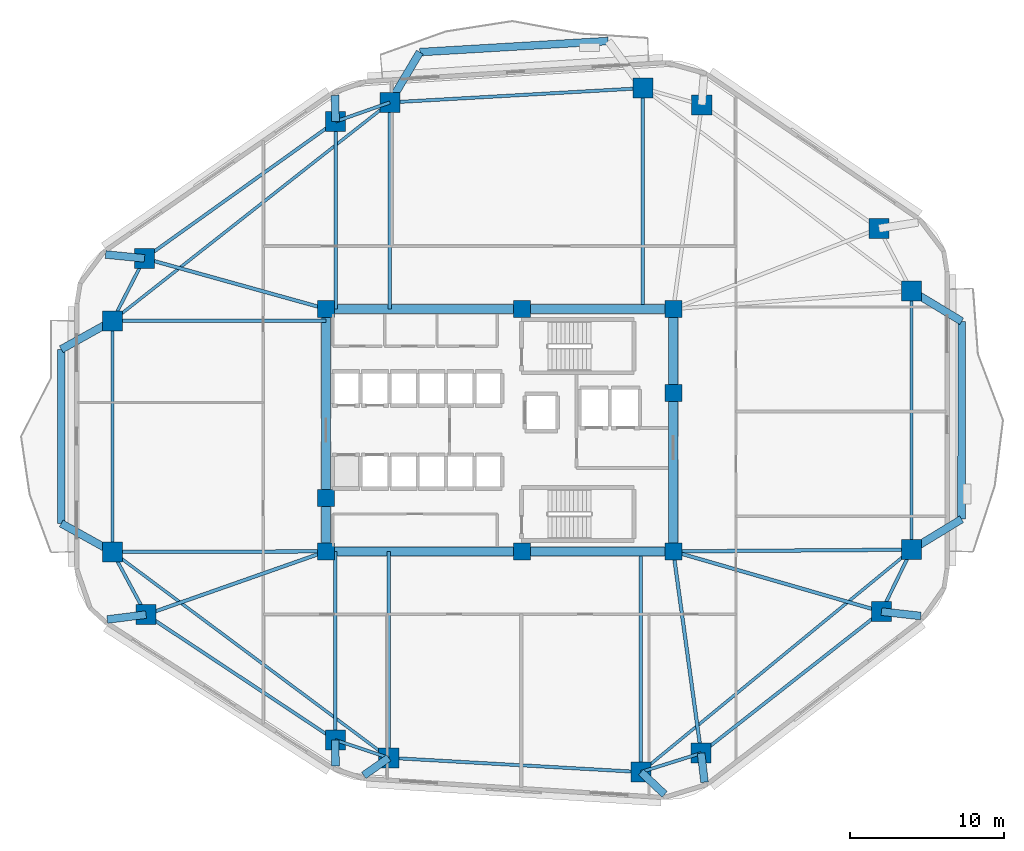
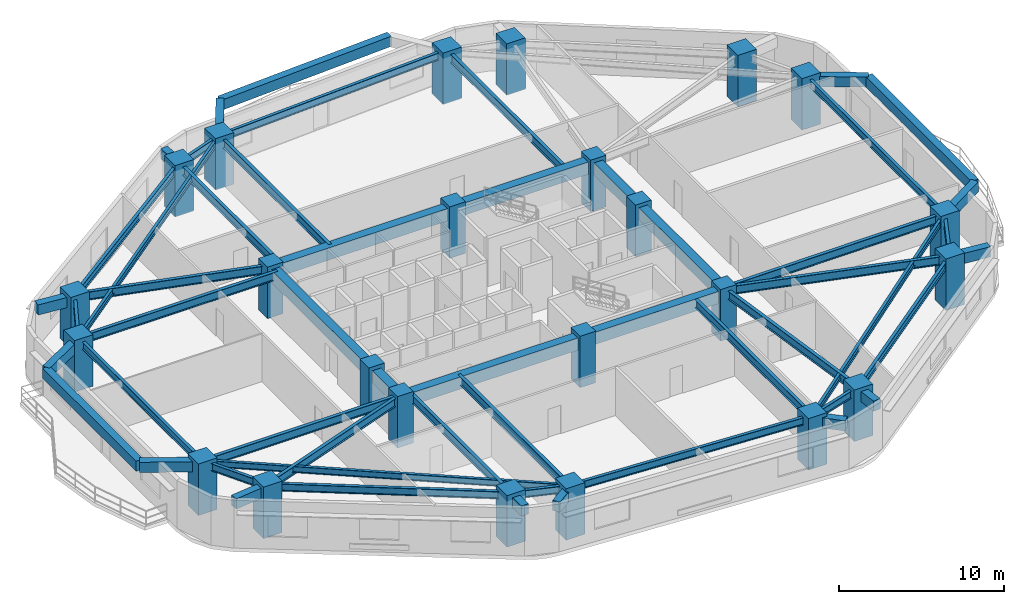
# One storey, part 1 of 10: 53 beams, 24 columns.
"""IFC4 building model written with IfcOpenShell, lengths in metres."""

from ifc_helpers import new_model, si_unit, direction, frame, origin, origin_2d, place, context, subcontext, project, spatial, rectangle, i_section, extrude, material, material_profile, profile_set, type_object, element, save


model = new_model("IFC4")

# Units and contexts
model_context = context("Model", 3, precision=1e-05, world=origin(), true_north=direction((0.0, 1.0)))
body_context = subcontext(model_context, "Body", "Model", "MODEL_VIEW")
ifc_project = project(units=[si_unit("LENGTHUNIT", "METRE"), si_unit("AREAUNIT", "SQUARE_METRE"), si_unit("VOLUMEUNIT", "CUBIC_METRE"), si_unit("PLANEANGLEUNIT", "RADIAN"), si_unit("MASSUNIT", "GRAM", prefix="KILO")], contexts=[model_context])

# Site, building, storey
site_placement = place(None, origin())
site = spatial("IfcSite", under=ifc_project, at=site_placement, CompositionType="ELEMENT")
building_placement = place(site_placement, origin())
building = spatial("IfcBuilding", under=site, at=building_placement, Name="Zulverin Broadcast Headquarters", CompositionType="ELEMENT")
storey_placement = place(building_placement, frame((0.0, 0.0, 66.800048828125)))
storey = spatial("IfcBuildingStorey", under=building, at=storey_placement, Name="L16", CompositionType="ELEMENT", Elevation=66.800048828125)

# Columns
ifc_material_1 = material(Name="Concrete C60/75", Category="concrete")
ifc_material_profile_1 = material_profile(ifc_material_1, rectangle(XDim=1.300048828125, YDim=1.300048828125, at=origin_2d()), Name="Concrete C60/75", Category="concrete")
ifc_profile_set_1 = profile_set([ifc_material_profile_1], Name="Concrete C60/75")
column_type_1 = type_object("IfcColumnType", Name="COL-RC-1300", PredefinedType="COLUMN", material=ifc_profile_set_1)
for number, where, z_axis, x_axis, name in (
    (1, (29.79638671875, 3.922119140625, 0.0), (0.0, 0.0, 1.0), (1.0, 0.0, 0.0), "L16 Perimeter Column T01"),
    (2, (46.175048828125, 2.997802734375, 0.0), (0.0, 0.0, 1.0), (1.0, 0.0, 0.0), "L16 Perimeter Column T02"),
    (3, (50.08056640625, 4.22509765625, 0.0), (0.0, 0.0, 1.0), (1.0, 0.0, 0.0), "L16 Perimeter Column T03"),
    (4, (61.79296875, 13.416259765625, 0.0), (0.0, 0.0, 1.0), (1.0, 0.0, 0.0), "L16 Perimeter Column T04"),
    (5, (63.75, 17.439697265625, 0.0), (0.0, 0.0, 1.0), (1.0, 0.0, 0.0), "L16 Perimeter Column T05"),
    (6, (63.75, 34.235107421875, 0.0), (0.0, 0.0, 1.0), (1.0, 0.0, 0.0), "L16 Perimeter Column T06"),
    (7, (61.630126953125, 38.298583984375, 0.0), (0.0, 0.0, 1.0), (1.0, 0.0, 0.0), "L16 Perimeter Column T07"),
    (8, (50.121826171875, 46.325927734375, 0.0), (0.0, 0.0, 1.0), (1.0, 0.0, 0.0), "L16 Perimeter Column T08"),
    (9, (46.30224609375, 47.4091796875, 0.0), (0.0, 0.0, 1.0), (1.0, 0.0, 0.0), "L16 Perimeter Column T09"),
    (10, (29.873779296875, 46.482177734375, 0.0), (0.0, 0.0, 1.0), (1.0, 0.0, 0.0), "L16 Perimeter Column T10"),
    (11, (26.344482421875, 45.23828125, 0.0), (0.0, 0.0, 1.0), (1.0, 0.0, 0.0), "L16 Perimeter Column T11"),
    (12, (13.934326171875, 36.353759765625, 0.0), (0.0, 0.0, 1.0), (1.0, 0.0, 0.0), "L16 Perimeter Column T12"),
    (13, (11.85009765625, 32.298095703125, 0.0), (0.0, 0.0, 1.0), (1.0, 0.0, 0.0), "L16 Perimeter Column T13"),
    (14, (11.85009765625, 17.297607421875, 0.0), (0.0, 0.0, 1.0), (1.0, 0.0, 0.0), "L16 Perimeter Column T14"),
    (15, (14.0390625, 13.219970703125, 0.0), (0.0, 0.0, 1.0), (1.0, 0.0, 0.0), "L16 Perimeter Column T15"),
    (16, (26.3251953125, 5.075927734375, 0.0), (0.0, 0.0, 1.0), (1.0, 0.0, 0.0), "L16 Perimeter Column T16"),
):
    element("IfcColumn", number, at=place(storey_placement, frame(where, z_axis=z_axis, x_axis=x_axis)), inside=storey, type_object=column_type_1, Name=name, PredefinedType="COLUMN", context=body_context, shape_type="SweptSolid", body=[
        extrude(rectangle(XDim=1.300048828125, YDim=1.300048828125, at=origin_2d()), origin(), (0.0, 0.0, 1.0), 3.800048828125),
    ])
ifc_material_profile_2 = material_profile(ifc_material_1, rectangle(XDim=1.10009765625, YDim=1.10009765625, at=origin_2d()), Name="Concrete C60/75", Category="concrete")
ifc_profile_set_2 = profile_set([ifc_material_profile_2], Name="Concrete C60/75")
column_type_2 = type_object("IfcColumnType", Name="PIL-RC-1100", PredefinedType="PILASTER", material=ifc_profile_set_2)
for number, where, z_axis, x_axis, name in (
    (17, (25.72509765625, 17.324951171875, 0.0), (0.0, 0.0, 1.0), (1.0, 0.0, 0.0), "L16 Core Pilaster K01"),
    (18, (38.449951171875, 17.324951171875, 0.0), (0.0, 0.0, 1.0), (1.0, 0.0, 0.0), "L16 Core Pilaster K02"),
    (19, (48.27490234375, 17.324951171875, 0.0), (0.0, 0.0, 1.0), (1.0, 0.0, 0.0), "L16 Core Pilaster K03"),
    (20, (48.27490234375, 27.6201171875, 0.0), (0.0, 0.0, 1.0), (1.0, 0.0, 0.0), "L16 Core Pilaster K04"),
    (21, (48.27490234375, 33.074951171875, 0.0), (0.0, 0.0, 1.0), (1.0, 0.0, 0.0), "L16 Core Pilaster K05"),
    (22, (38.449951171875, 33.074951171875, 0.0), (0.0, 0.0, 1.0), (1.0, 0.0, 0.0), "L16 Core Pilaster K06"),
    (23, (25.72509765625, 33.074951171875, 0.0), (0.0, 0.0, 1.0), (1.0, 0.0, 0.0), "L16 Core Pilaster K07"),
    (24, (25.72509765625, 20.800048828125, 0.0), (0.0, 0.0, 1.0), (1.0, 0.0, 0.0), "L16 Core Pilaster K08"),
):
    element("IfcColumn", number, at=place(storey_placement, frame(where, z_axis=z_axis, x_axis=x_axis)), inside=storey, type_object=column_type_2, Name=name, PredefinedType="PILASTER", context=body_context, shape_type="SweptSolid", body=[
        extrude(rectangle(XDim=1.10009765625, YDim=1.10009765625, at=origin_2d()), origin(), (0.0, 0.0, 1.0), 3.800048828125),
    ])

# Beams
ifc_material_profile_3 = material_profile(ifc_material_1, rectangle(XDim=0.60009765625, YDim=0.89990234375, at=origin_2d()), Name="Concrete C60/75", Category="concrete")
ifc_profile_set_3 = profile_set([ifc_material_profile_3], Name="Concrete C60/75")
beam_type_1 = type_object("IfcBeamType", Name="BM-CB-600x900", PredefinedType="LINTEL", material=ifc_profile_set_3)
beam_1_placement = place(storey_placement, frame((25.72509765625, 17.324951171875, 3.074951171875), z_axis=(1.0, 0.0, 0.0), x_axis=(0.0, 1.0, 0.0)))
element("IfcBeam", 25, at=beam_1_placement, inside=storey, type_object=beam_type_1, Name="L16 Core Coupling Girder K01-K02", PredefinedType="LINTEL", context=body_context, shape_type="SweptSolid", body=[
    extrude(rectangle(XDim=0.60009765625, YDim=0.89990234375, at=origin_2d()), origin(), (0.0, 0.0, 1.0), 12.724853515625),
])
beam_2_placement = place(storey_placement, frame((38.449951171875, 17.324951171875, 3.074951171875), z_axis=(1.0, 0.0, 0.0), x_axis=(0.0, 1.0, 0.0)))
element("IfcBeam", 26, at=beam_2_placement, inside=storey, type_object=beam_type_1, Name="L16 Core Coupling Girder K02-K03", PredefinedType="LINTEL", context=body_context, shape_type="SweptSolid", body=[
    extrude(rectangle(XDim=0.60009765625, YDim=0.89990234375, at=origin_2d()), origin(), (0.0, 0.0, 1.0), 9.824951171875),
])
beam_3_placement = place(storey_placement, frame((48.27490234375, 17.324951171875, 3.074951171875), z_axis=(0.0, 1.0, 0.0), x_axis=(-1.0, 0.0, 0.0)))
element("IfcBeam", 27, at=beam_3_placement, inside=storey, type_object=beam_type_1, Name="L16 Core Coupling Girder K03-K04", PredefinedType="LINTEL", context=body_context, shape_type="SweptSolid", body=[
    extrude(rectangle(XDim=0.60009765625, YDim=0.89990234375, at=origin_2d()), origin(), (0.0, 0.0, 1.0), 10.295166015625),
])
beam_4_placement = place(storey_placement, frame((48.27490234375, 27.6201171875, 3.074951171875), z_axis=(0.0, 1.0, 0.0), x_axis=(-1.0, 0.0, 0.0)))
element("IfcBeam", 28, at=beam_4_placement, inside=storey, type_object=beam_type_1, Name="L16 Core Coupling Girder K04-K05", PredefinedType="LINTEL", context=body_context, shape_type="SweptSolid", body=[
    extrude(rectangle(XDim=0.60009765625, YDim=0.89990234375, at=origin_2d()), origin(), (0.0, 0.0, 1.0), 5.454833984375),
])
beam_5_placement = place(storey_placement, frame((48.27490234375, 33.074951171875, 3.074951171875), z_axis=(-1.0, 0.0, 0.0), x_axis=(0.0, -1.0, 0.0)))
element("IfcBeam", 29, at=beam_5_placement, inside=storey, type_object=beam_type_1, Name="L16 Core Coupling Girder K05-K06", PredefinedType="LINTEL", context=body_context, shape_type="SweptSolid", body=[
    extrude(rectangle(XDim=0.60009765625, YDim=0.89990234375, at=origin_2d()), origin(), (0.0, 0.0, 1.0), 9.824951171875),
])
beam_6_placement = place(storey_placement, frame((38.449951171875, 33.074951171875, 3.074951171875), z_axis=(-1.0, 0.0, 0.0), x_axis=(0.0, -1.0, 0.0)))
element("IfcBeam", 30, at=beam_6_placement, inside=storey, type_object=beam_type_1, Name="L16 Core Coupling Girder K06-K07", PredefinedType="LINTEL", context=body_context, shape_type="SweptSolid", body=[
    extrude(rectangle(XDim=0.60009765625, YDim=0.89990234375, at=origin_2d()), origin(), (0.0, 0.0, 1.0), 12.724853515625),
])
beam_7_placement = place(storey_placement, frame((25.72509765625, 33.074951171875, 3.074951171875), z_axis=(0.0, -1.0, 0.0), x_axis=(1.0, 0.0, 0.0)))
element("IfcBeam", 31, at=beam_7_placement, inside=storey, type_object=beam_type_1, Name="L16 Core Coupling Girder K07-K08", PredefinedType="LINTEL", context=body_context, shape_type="SweptSolid", body=[
    extrude(rectangle(XDim=0.60009765625, YDim=0.89990234375, at=origin_2d()), origin(), (0.0, 0.0, 1.0), 12.27490234375),
])
beam_8_placement = place(storey_placement, frame((25.72509765625, 20.800048828125, 3.074951171875), z_axis=(0.0, -1.0, 0.0), x_axis=(1.0, 0.0, 0.0)))
element("IfcBeam", 32, at=beam_8_placement, inside=storey, type_object=beam_type_1, Name="L16 Core Coupling Girder K08-K01", PredefinedType="LINTEL", context=body_context, shape_type="SweptSolid", body=[
    extrude(rectangle(XDim=0.60009765625, YDim=0.89990234375, at=origin_2d()), origin(), (0.0, 0.0, 1.0), 3.47509765625),
])
ifc_material_2 = material(Name="Concrete C40/50", Category="concrete")
ifc_material_profile_4 = material_profile(ifc_material_2, rectangle(XDim=0.5, YDim=0.75, at=origin_2d()), Name="Concrete C40/50", Category="concrete")
ifc_profile_set_4 = profile_set([ifc_material_profile_4], Name="Concrete C40/50")
beam_type_2 = type_object("IfcBeamType", Name="BM-RC-500x750", PredefinedType="BEAM", material=ifc_profile_set_4)
beam_9_placement = place(storey_placement, frame((29.79638671875, 3.922119140625, 3.14990234375), z_axis=(-0.817789251944, -0.575517801119, 0.0), x_axis=(0.575517801119, -0.817789251944, 0.0)))
element("IfcBeam", 33, at=beam_9_placement, inside=storey, type_object=beam_type_2, Name="L17 Plate Overhang Back-Spanned Beam OVR-01", PredefinedType="BEAM", context=body_context, shape_type="SweptSolid", body=[
    extrude(rectangle(XDim=0.5, YDim=0.75, at=origin_2d()), origin(), (0.0, 0.0, 1.0), 1.983154296875),
])
beam_10_placement = place(storey_placement, frame((46.175048828125, 2.997802734375, 3.14990234375), z_axis=(0.727711332613, -0.685883529754, 0.0), x_axis=(0.685883529754, 0.727711332613, 0.0)))
element("IfcBeam", 34, at=beam_10_placement, inside=storey, type_object=beam_type_2, Name="L17 Plate Overhang Back-Spanned Beam OVR-02", PredefinedType="BEAM", context=body_context, shape_type="SweptSolid", body=[
    extrude(rectangle(XDim=0.5, YDim=0.75, at=origin_2d()), origin(), (0.0, 0.0, 1.0), 2.113037109375),
])
beam_11_placement = place(storey_placement, frame((50.08056640625, 4.22509765625, 3.14990234375), z_axis=(0.115916621896, -0.99325894749, 0.0), x_axis=(0.99325894749, 0.115916621896, 0.0)))
element("IfcBeam", 35, at=beam_11_placement, inside=storey, type_object=beam_type_2, Name="L17 Plate Overhang Back-Spanned Beam OVR-03", PredefinedType="BEAM", context=body_context, shape_type="SweptSolid", body=[
    extrude(rectangle(XDim=0.5, YDim=0.75, at=origin_2d()), origin(), (0.0, 0.0, 1.0), 1.899658203125),
])
beam_12_placement = place(storey_placement, frame((61.79296875, 13.416259765625, 3.14990234375), z_axis=(0.993797661948, -0.111203449166, 0.0), x_axis=(0.111203449166, 0.993797661948, 0.0)))
element("IfcBeam", 36, at=beam_12_placement, inside=storey, type_object=beam_type_2, Name="L17 Plate Overhang Back-Spanned Beam OVR-04", PredefinedType="BEAM", context=body_context, shape_type="SweptSolid", body=[
    extrude(rectangle(XDim=0.5, YDim=0.75, at=origin_2d()), origin(), (0.0, 0.0, 1.0), 2.568603515625),
])
beam_13_placement = place(storey_placement, frame((26.344482421875, 45.23828125, 3.14990234375), z_axis=(-0.025024345209, 0.999686842039, 0.0), x_axis=(-0.999686842039, -0.025024345209, 0.0)))
element("IfcBeam", 37, at=beam_13_placement, inside=storey, type_object=beam_type_2, Name="L17 Plate Overhang Back-Spanned Beam OVR-11", PredefinedType="BEAM", context=body_context, shape_type="SweptSolid", body=[
    extrude(rectangle(XDim=0.5, YDim=0.75, at=origin_2d()), origin(), (0.0, 0.0, 1.0), 1.707275390625),
])
beam_14_placement = place(storey_placement, frame((13.934326171875, 36.353759765625, 3.14990234375), z_axis=(-0.995008621602, 0.09978899207, 0.0), x_axis=(-0.09978899207, -0.995008621602, 0.0)))
element("IfcBeam", 38, at=beam_14_placement, inside=storey, type_object=beam_type_2, Name="L17 Plate Overhang Back-Spanned Beam OVR-12", PredefinedType="BEAM", context=body_context, shape_type="SweptSolid", body=[
    extrude(rectangle(XDim=0.5, YDim=0.75, at=origin_2d()), origin(), (0.0, 0.0, 1.0), 2.5419921875),
])
beam_15_placement = place(storey_placement, frame((14.0390625, 13.219970703125, 3.14990234375), z_axis=(-0.992258640565, -0.124188526941, 0.0), x_axis=(0.124188526941, -0.992258640565, 0.0)))
element("IfcBeam", 39, at=beam_15_placement, inside=storey, type_object=beam_type_2, Name="L17 Plate Overhang Back-Spanned Beam OVR-15", PredefinedType="BEAM", context=body_context, shape_type="SweptSolid", body=[
    extrude(rectangle(XDim=0.5, YDim=0.75, at=origin_2d()), origin(), (0.0, 0.0, 1.0), 2.5400390625),
])
beam_16_placement = place(storey_placement, frame((26.3251953125, 5.075927734375, 3.14990234375), z_axis=(0.006204786761, -0.999980750125, 0.0), x_axis=(0.999980750125, 0.006204786761, 0.0)))
element("IfcBeam", 40, at=beam_16_placement, inside=storey, type_object=beam_type_2, Name="L17 Plate Overhang Back-Spanned Beam OVR-16", PredefinedType="BEAM", context=body_context, shape_type="SweptSolid", body=[
    extrude(rectangle(XDim=0.5, YDim=0.75, at=origin_2d()), origin(), (0.0, 0.0, 1.0), 1.69189453125),
])
for number, where, z_axis, x_axis, name in (
    (41, (63.75, 17.439697265625, 3.14990234375), (0.853769010652, 0.520651972483, 0.0), (-0.520651972483, 0.853769010652, 0.0), "L17 Balcony Column-Framed Cantilever BAL_E-1"),
    (42, (63.75, 34.235107421875, 3.14990234375), (0.855593685746, -0.517647993246, 0.0), (0.517647993246, 0.855593685746, 0.0), "L17 Balcony Column-Framed Cantilever BAL_E-2"),
):
    element("IfcBeam", number, at=place(storey_placement, frame(where, z_axis=z_axis, x_axis=x_axis)), inside=storey, type_object=beam_type_2, Name=name, PredefinedType="BEAM", context=body_context, shape_type="SweptSolid", body=[
        extrude(rectangle(XDim=0.5, YDim=0.75, at=origin_2d()), origin(), (0.0, 0.0, 1.0), 3.800048828125),
    ])
beam_17_placement = place(storey_placement, frame((66.994384765625, 19.418212890625, 3.14990234375), z_axis=(0.000531985561, 0.999999858496, 0.0), x_axis=(-0.999999858496, 0.000531985561, 0.0)))
element("IfcBeam", 43, at=beam_17_placement, inside=storey, type_object=beam_type_2, Name="L17 Balcony Outer Edge Trimmer Beam BAL_E", PredefinedType="BEAM", context=body_context, shape_type="SweptSolid", body=[
    extrude(rectangle(XDim=0.5, YDim=0.75, at=origin_2d()), origin(), (0.0, 0.0, 1.0), 12.849853515625),
])
beam_18_placement = place(storey_placement, frame((29.873779296875, 46.482177734375, 3.14990234375), z_axis=(0.511024077234, 0.859566397952, 0.0), x_axis=(-0.859566397952, 0.511024077234, 0.0)))
element("IfcBeam", 44, at=beam_18_placement, inside=storey, type_object=beam_type_2, Name="L17 Balcony Column-Framed Cantilever BAL_N-2", PredefinedType="BEAM", context=body_context, shape_type="SweptSolid", body=[
    extrude(rectangle(XDim=0.5, YDim=0.75, at=origin_2d()), origin(), (0.0, 0.0, 1.0), 3.800048828125),
])
beam_19_placement = place(storey_placement, frame((44.049072265625, 50.46923828125, 3.14990234375), z_axis=(-0.998269148199, -0.058810779227, 0.0), x_axis=(0.058810779227, -0.998269148199, 0.0)))
element("IfcBeam", 45, at=beam_19_placement, inside=storey, type_object=beam_type_2, Name="L17 Balcony Outer Edge Trimmer Beam BAL_N", PredefinedType="BEAM", context=body_context, shape_type="SweptSolid", body=[
    extrude(rectangle(XDim=0.5, YDim=0.75, at=origin_2d()), origin(), (0.0, 0.0, 1.0), 12.254638671875),
])
beam_20_placement = place(storey_placement, frame((11.85009765625, 32.298095703125, 3.14990234375), z_axis=(-0.873763019306, -0.486351915893, 0.0), x_axis=(0.486351915893, -0.873763019306, 0.0)))
element("IfcBeam", 46, at=beam_20_placement, inside=storey, type_object=beam_type_2, Name="L17 Balcony Column-Framed Cantilever BAL_W-1", PredefinedType="BEAM", context=body_context, shape_type="SweptSolid", body=[
    extrude(rectangle(XDim=0.5, YDim=0.75, at=origin_2d()), origin(), (0.0, 0.0, 1.0), 3.800048828125),
])
beam_21_placement = place(storey_placement, frame((11.85009765625, 17.297607421875, 3.14990234375), z_axis=(-0.874363278793, 0.485271940975, 0.0), x_axis=(-0.485271940975, -0.874363278793, 0.0)))
element("IfcBeam", 47, at=beam_21_placement, inside=storey, type_object=beam_type_2, Name="L17 Balcony Column-Framed Cantilever BAL_W-2", PredefinedType="BEAM", context=body_context, shape_type="SweptSolid", body=[
    extrude(rectangle(XDim=0.5, YDim=0.75, at=origin_2d()), origin(), (0.0, 0.0, 1.0), 3.7998046875),
])
beam_22_placement = place(storey_placement, frame((8.52978515625, 30.449951171875, 3.14990234375), z_axis=(-0.000194304709, -0.999999981123, 0.0), x_axis=(0.999999981123, -0.000194304709, 0.0)))
element("IfcBeam", 48, at=beam_22_placement, inside=storey, type_object=beam_type_2, Name="L17 Balcony Outer Edge Trimmer Beam BAL_W", PredefinedType="BEAM", context=body_context, shape_type="SweptSolid", body=[
    extrude(rectangle(XDim=0.5, YDim=0.75, at=origin_2d()), origin(), (0.0, 0.0, 1.0), 11.308349609375),
])
ifc_material_3 = material(Name="Structural steel S355JR", Category="steel")
ifc_material_profile_5 = material_profile(ifc_material_3, i_section(OverallWidth=0.19287109375, OverallDepth=0.46728515625, WebThickness=0.011474609375, FlangeThickness=0.01953125, at=origin_2d()), Name="Structural steel S355JR", Category="steel")
ifc_profile_set_5 = profile_set([ifc_material_profile_5], Name="Structural steel S355JR")
beam_type_3 = type_object("IfcBeamType", Name="BM-UB-457", PredefinedType="JOIST", material=ifc_profile_set_5)
beam_23_placement = place(storey_placement, frame((46.175048828125, 2.997802734375, 3.291259765625), z_axis=(0.772611370623, 0.634879256224, 0.0), x_axis=(-0.634879256224, 0.772611370623, 0.0)))
element("IfcBeam", 49, at=beam_23_placement, inside=storey, type_object=beam_type_3, Name="L16 Chordal Floor Joist J-01", PredefinedType="JOIST", context=body_context, shape_type="SweptSolid", body=[
    extrude(i_section(OverallWidth=0.19287109375, OverallDepth=0.46728515625, WebThickness=0.011474609375, FlangeThickness=0.01953125, at=origin_2d()), origin(), (0.0, 0.0, 1.0), 22.74755859375),
])
beam_24_placement = place(storey_placement, frame((29.873779296875, 46.482177734375, 3.291259765625), z_axis=(-0.78583902739, -0.618431098047, 0.0), x_axis=(0.618431098047, -0.78583902739, 0.0)))
element("IfcBeam", 50, at=beam_24_placement, inside=storey, type_object=beam_type_3, Name="L16 Chordal Floor Joist J-03", PredefinedType="JOIST", context=body_context, shape_type="SweptSolid", body=[
    extrude(i_section(OverallWidth=0.19287109375, OverallDepth=0.46728515625, WebThickness=0.011474609375, FlangeThickness=0.01953125, at=origin_2d()), origin(), (0.0, 0.0, 1.0), 22.935546875),
])
beam_25_placement = place(storey_placement, frame((11.85009765625, 17.297607421875, 3.291259765625), z_axis=(0.801802688634, -0.59758886243, 0.0), x_axis=(0.59758886243, 0.801802688634, 0.0)))
element("IfcBeam", 51, at=beam_25_placement, inside=storey, type_object=beam_type_3, Name="L16 Chordal Floor Joist J-04", PredefinedType="JOIST", context=body_context, shape_type="SweptSolid", body=[
    extrude(i_section(OverallWidth=0.19287109375, OverallDepth=0.46728515625, WebThickness=0.011474609375, FlangeThickness=0.01953125, at=origin_2d()), origin(), (0.0, 0.0, 1.0), 22.38232421875),
])
ifc_material_profile_6 = material_profile(ifc_material_3, i_section(OverallWidth=0.2119140625, OverallDepth=0.54443359375, WebThickness=0.0126953125, FlangeThickness=0.021240234375, at=origin_2d()), Name="Structural steel S355JR", Category="steel")
ifc_profile_set_6 = profile_set([ifc_material_profile_6], Name="Structural steel S355JR")
beam_type_4 = type_object("IfcBeamType", Name="BM-UB-533", PredefinedType="SPANDREL", material=ifc_profile_set_6)
beam_26_placement = place(storey_placement, frame((29.79638671875, 3.922119140625, 3.252685546875), z_axis=(0.998411385104, -0.056344530297, 0.0), x_axis=(0.056344530297, 0.998411385104, 0.0)))
element("IfcBeam", 52, at=beam_26_placement, inside=storey, type_object=beam_type_4, Name="L16 Perimeter Spandrel Beam SP-01", PredefinedType="SPANDREL", context=body_context, shape_type="SweptSolid", body=[
    extrude(i_section(OverallWidth=0.2119140625, OverallDepth=0.54443359375, WebThickness=0.0126953125, FlangeThickness=0.021240234375, at=origin_2d()), origin(), (0.0, 0.0, 1.0), 16.40478515625),
])
beam_27_placement = place(storey_placement, frame((46.175048828125, 2.997802734375, 3.252685546875), z_axis=(0.954004438448, 0.299792480595, 0.0), x_axis=(-0.299792480595, 0.954004438448, 0.0)))
element("IfcBeam", 53, at=beam_27_placement, inside=storey, type_object=beam_type_4, Name="L16 Perimeter Spandrel Beam SP-02", PredefinedType="SPANDREL", context=body_context, shape_type="SweptSolid", body=[
    extrude(i_section(OverallWidth=0.2119140625, OverallDepth=0.54443359375, WebThickness=0.0126953125, FlangeThickness=0.021240234375, at=origin_2d()), origin(), (0.0, 0.0, 1.0), 4.09375),
])
beam_28_placement = place(storey_placement, frame((50.08056640625, 4.22509765625, 3.252685546875), z_axis=(0.786691476208, 0.617346354376, 0.0), x_axis=(-0.617346354376, 0.786691476208, 0.0)))
element("IfcBeam", 54, at=beam_28_placement, inside=storey, type_object=beam_type_4, Name="L16 Perimeter Spandrel Beam SP-03", PredefinedType="SPANDREL", context=body_context, shape_type="SweptSolid", body=[
    extrude(i_section(OverallWidth=0.2119140625, OverallDepth=0.54443359375, WebThickness=0.0126953125, FlangeThickness=0.021240234375, at=origin_2d()), origin(), (0.0, 0.0, 1.0), 14.88818359375),
])
beam_29_placement = place(storey_placement, frame((61.79296875, 13.416259765625, 3.252685546875), z_axis=(0.437408475872, 0.899262934428, 0.0), x_axis=(-0.899262934428, 0.437408475872, 0.0)))
element("IfcBeam", 55, at=beam_29_placement, inside=storey, type_object=beam_type_4, Name="L16 Perimeter Spandrel Beam SP-04", PredefinedType="SPANDREL", context=body_context, shape_type="SweptSolid", body=[
    extrude(i_section(OverallWidth=0.2119140625, OverallDepth=0.54443359375, WebThickness=0.0126953125, FlangeThickness=0.021240234375, at=origin_2d()), origin(), (0.0, 0.0, 1.0), 4.47412109375),
])
beam_30_placement = place(storey_placement, frame((63.75, 17.439697265625, 3.252685546875), z_axis=(0.0, 1.0, 0.0), x_axis=(-1.0, 0.0, 0.0)))
element("IfcBeam", 56, at=beam_30_placement, inside=storey, type_object=beam_type_4, Name="L16 Perimeter Spandrel Beam SP-05", PredefinedType="SPANDREL", context=body_context, shape_type="SweptSolid", body=[
    extrude(i_section(OverallWidth=0.2119140625, OverallDepth=0.54443359375, WebThickness=0.0126953125, FlangeThickness=0.021240234375, at=origin_2d()), origin(), (0.0, 0.0, 1.0), 16.79541015625),
])
beam_31_placement = place(storey_placement, frame((46.30224609375, 47.4091796875, 3.252685546875), z_axis=(-0.998411812904, -0.056336949274, 0.0), x_axis=(0.056336949274, -0.998411812904, 0.0)))
element("IfcBeam", 57, at=beam_31_placement, inside=storey, type_object=beam_type_4, Name="L16 Perimeter Spandrel Beam SP-09", PredefinedType="SPANDREL", context=body_context, shape_type="SweptSolid", body=[
    extrude(i_section(OverallWidth=0.2119140625, OverallDepth=0.54443359375, WebThickness=0.0126953125, FlangeThickness=0.021240234375, at=origin_2d()), origin(), (0.0, 0.0, 1.0), 16.45458984375),
])
beam_32_placement = place(storey_placement, frame((29.873779296875, 46.482177734375, 3.252685546875), z_axis=(-0.943135983398, -0.332407155189, 0.0), x_axis=(0.332407155189, -0.943135983398, 0.0)))
element("IfcBeam", 58, at=beam_32_placement, inside=storey, type_object=beam_type_4, Name="L16 Perimeter Spandrel Beam SP-10", PredefinedType="SPANDREL", context=body_context, shape_type="SweptSolid", body=[
    extrude(i_section(OverallWidth=0.2119140625, OverallDepth=0.54443359375, WebThickness=0.0126953125, FlangeThickness=0.021240234375, at=origin_2d()), origin(), (0.0, 0.0, 1.0), 3.7421875),
])
beam_33_placement = place(storey_placement, frame((26.344482421875, 45.23828125, 3.252685546875), z_axis=(-0.813109374453, -0.582110938891, 0.0), x_axis=(0.582110938891, -0.813109374453, 0.0)))
element("IfcBeam", 59, at=beam_33_placement, inside=storey, type_object=beam_type_4, Name="L16 Perimeter Spandrel Beam SP-11", PredefinedType="SPANDREL", context=body_context, shape_type="SweptSolid", body=[
    extrude(i_section(OverallWidth=0.2119140625, OverallDepth=0.54443359375, WebThickness=0.0126953125, FlangeThickness=0.021240234375, at=origin_2d()), origin(), (0.0, 0.0, 1.0), 15.2626953125),
])
beam_34_placement = place(storey_placement, frame((13.934326171875, 36.353759765625, 3.252685546875), z_axis=(-0.457080631948, -0.889425261558, 0.0), x_axis=(0.889425261558, -0.457080631948, 0.0)))
element("IfcBeam", 60, at=beam_34_placement, inside=storey, type_object=beam_type_4, Name="L16 Perimeter Spandrel Beam SP-12", PredefinedType="SPANDREL", context=body_context, shape_type="SweptSolid", body=[
    extrude(i_section(OverallWidth=0.2119140625, OverallDepth=0.54443359375, WebThickness=0.0126953125, FlangeThickness=0.021240234375, at=origin_2d()), origin(), (0.0, 0.0, 1.0), 4.559814453125),
])
beam_35_placement = place(storey_placement, frame((11.85009765625, 32.298095703125, 3.252685546875), z_axis=(0.0, -1.0, 0.0), x_axis=(1.0, 0.0, 0.0)))
element("IfcBeam", 61, at=beam_35_placement, inside=storey, type_object=beam_type_4, Name="L16 Perimeter Spandrel Beam SP-13", PredefinedType="SPANDREL", context=body_context, shape_type="SweptSolid", body=[
    extrude(i_section(OverallWidth=0.2119140625, OverallDepth=0.54443359375, WebThickness=0.0126953125, FlangeThickness=0.021240234375, at=origin_2d()), origin(), (0.0, 0.0, 1.0), 15.00048828125),
])
beam_36_placement = place(storey_placement, frame((11.85009765625, 17.297607421875, 3.252685546875), z_axis=(0.472979536362, -0.881073412482, 0.0), x_axis=(0.881073412482, 0.472979536362, 0.0)))
element("IfcBeam", 62, at=beam_36_placement, inside=storey, type_object=beam_type_4, Name="L16 Perimeter Spandrel Beam SP-14", PredefinedType="SPANDREL", context=body_context, shape_type="SweptSolid", body=[
    extrude(i_section(OverallWidth=0.2119140625, OverallDepth=0.54443359375, WebThickness=0.0126953125, FlangeThickness=0.021240234375, at=origin_2d()), origin(), (0.0, 0.0, 1.0), 4.6279296875),
])
beam_37_placement = place(storey_placement, frame((14.0390625, 13.219970703125, 3.252685546875), z_axis=(0.833510030956, -0.552504324232, 0.0), x_axis=(0.552504324232, 0.833510030956, 0.0)))
element("IfcBeam", 63, at=beam_37_placement, inside=storey, type_object=beam_type_4, Name="L16 Perimeter Spandrel Beam SP-15", PredefinedType="SPANDREL", context=body_context, shape_type="SweptSolid", body=[
    extrude(i_section(OverallWidth=0.2119140625, OverallDepth=0.54443359375, WebThickness=0.0126953125, FlangeThickness=0.021240234375, at=origin_2d()), origin(), (0.0, 0.0, 1.0), 14.740234375),
])
beam_38_placement = place(storey_placement, frame((26.3251953125, 5.075927734375, 3.252685546875), z_axis=(0.948949931395, -0.315426739047, 0.0), x_axis=(0.315426739047, 0.948949931395, 0.0)))
element("IfcBeam", 64, at=beam_38_placement, inside=storey, type_object=beam_type_4, Name="L16 Perimeter Spandrel Beam SP-16", PredefinedType="SPANDREL", context=body_context, shape_type="SweptSolid", body=[
    extrude(i_section(OverallWidth=0.2119140625, OverallDepth=0.54443359375, WebThickness=0.0126953125, FlangeThickness=0.021240234375, at=origin_2d()), origin(), (0.0, 0.0, 1.0), 3.657958984375),
])
ifc_material_profile_7 = material_profile(ifc_material_3, i_section(OverallWidth=0.230224609375, OverallDepth=0.6171875, WebThickness=0.01318359375, FlangeThickness=0.022216796875, at=origin_2d()), Name="Structural steel S355JR", Category="steel")
ifc_profile_set_7 = profile_set([ifc_material_profile_7], Name="Structural steel S355JR")
beam_type_5 = type_object("IfcBeamType", Name="BM-UB-610", PredefinedType="BEAM", material=ifc_profile_set_7)
beam_39_placement = place(storey_placement, frame((29.79638671875, 17.324951171875, 3.21630859375), z_axis=(0.0, -1.0, 0.0), x_axis=(1.0, 0.0, 0.0)))
element("IfcBeam", 65, at=beam_39_placement, inside=storey, type_object=beam_type_5, Name="L16 Radial Primary Floor Beam RB-01", PredefinedType="BEAM", context=body_context, shape_type="SweptSolid", body=[
    extrude(i_section(OverallWidth=0.230224609375, OverallDepth=0.6171875, WebThickness=0.01318359375, FlangeThickness=0.022216796875, at=origin_2d()), origin(), (0.0, 0.0, 1.0), 13.40283203125),
])
beam_40_placement = place(storey_placement, frame((46.175048828125, 17.324951171875, 3.21630859375), z_axis=(0.0, -1.0, 0.0), x_axis=(1.0, 0.0, 0.0)))
element("IfcBeam", 66, at=beam_40_placement, inside=storey, type_object=beam_type_5, Name="L16 Radial Primary Floor Beam RB-02", PredefinedType="BEAM", context=body_context, shape_type="SweptSolid", body=[
    extrude(i_section(OverallWidth=0.230224609375, OverallDepth=0.6171875, WebThickness=0.01318359375, FlangeThickness=0.022216796875, at=origin_2d()), origin(), (0.0, 0.0, 1.0), 14.3271484375),
])
beam_41_placement = place(storey_placement, frame((48.27490234375, 17.324951171875, 3.21630859375), z_axis=(0.136547433081, -0.990633533916, 0.0), x_axis=(0.990633533916, 0.136547433081, 0.0)))
element("IfcBeam", 67, at=beam_41_placement, inside=storey, type_object=beam_type_5, Name="L16 Radial Primary Floor Beam RB-03", PredefinedType="BEAM", context=body_context, shape_type="SweptSolid", body=[
    extrude(i_section(OverallWidth=0.230224609375, OverallDepth=0.6171875, WebThickness=0.01318359375, FlangeThickness=0.022216796875, at=origin_2d()), origin(), (0.0, 0.0, 1.0), 13.2236328125),
])
beam_42_placement = place(storey_placement, frame((48.27490234375, 17.324951171875, 3.21630859375), z_axis=(0.960648363311, -0.277767388416, 0.0), x_axis=(0.277767388416, 0.960648363311, 0.0)))
element("IfcBeam", 68, at=beam_42_placement, inside=storey, type_object=beam_type_5, Name="L16 Radial Primary Floor Beam RB-04", PredefinedType="BEAM", context=body_context, shape_type="SweptSolid", body=[
    extrude(i_section(OverallWidth=0.230224609375, OverallDepth=0.6171875, WebThickness=0.01318359375, FlangeThickness=0.022216796875, at=origin_2d()), origin(), (0.0, 0.0, 1.0), 14.07177734375),
])
beam_43_placement = place(storey_placement, frame((48.27490234375, 17.324951171875, 3.21630859375), z_axis=(0.999972510862, 0.007414682739, 0.0), x_axis=(-0.007414682739, 0.999972510862, 0.0)))
element("IfcBeam", 69, at=beam_43_placement, inside=storey, type_object=beam_type_5, Name="L16 Radial Primary Floor Beam RB-05", PredefinedType="BEAM", context=body_context, shape_type="SweptSolid", body=[
    extrude(i_section(OverallWidth=0.230224609375, OverallDepth=0.6171875, WebThickness=0.01318359375, FlangeThickness=0.022216796875, at=origin_2d()), origin(), (0.0, 0.0, 1.0), 15.4755859375),
])
beam_44_placement = place(storey_placement, frame((46.30224609375, 33.074951171875, 3.21630859375), z_axis=(0.0, 1.0, 0.0), x_axis=(-1.0, 0.0, 0.0)))
element("IfcBeam", 70, at=beam_44_placement, inside=storey, type_object=beam_type_5, Name="L16 Radial Primary Floor Beam RB-09", PredefinedType="BEAM", context=body_context, shape_type="SweptSolid", body=[
    extrude(i_section(OverallWidth=0.230224609375, OverallDepth=0.6171875, WebThickness=0.01318359375, FlangeThickness=0.022216796875, at=origin_2d()), origin(), (0.0, 0.0, 1.0), 14.334228515625),
])
beam_45_placement = place(storey_placement, frame((29.873779296875, 33.074951171875, 3.21630859375), z_axis=(0.0, 1.0, 0.0), x_axis=(-1.0, 0.0, 0.0)))
element("IfcBeam", 71, at=beam_45_placement, inside=storey, type_object=beam_type_5, Name="L16 Radial Primary Floor Beam RB-10", PredefinedType="BEAM", context=body_context, shape_type="SweptSolid", body=[
    extrude(i_section(OverallWidth=0.230224609375, OverallDepth=0.6171875, WebThickness=0.01318359375, FlangeThickness=0.022216796875, at=origin_2d()), origin(), (0.0, 0.0, 1.0), 13.4072265625),
])
beam_46_placement = place(storey_placement, frame((26.344482421875, 33.074951171875, 3.21630859375), z_axis=(0.0, 1.0, 0.0), x_axis=(-1.0, 0.0, 0.0)))
element("IfcBeam", 72, at=beam_46_placement, inside=storey, type_object=beam_type_5, Name="L16 Radial Primary Floor Beam RB-11", PredefinedType="BEAM", context=body_context, shape_type="SweptSolid", body=[
    extrude(i_section(OverallWidth=0.230224609375, OverallDepth=0.6171875, WebThickness=0.01318359375, FlangeThickness=0.022216796875, at=origin_2d()), origin(), (0.0, 0.0, 1.0), 12.163330078125),
])
beam_47_placement = place(storey_placement, frame((25.72509765625, 33.074951171875, 3.21630859375), z_axis=(-0.963442133037, 0.267916509922, 0.0), x_axis=(-0.267916509922, -0.963442133037, 0.0)))
element("IfcBeam", 73, at=beam_47_placement, inside=storey, type_object=beam_type_5, Name="L16 Radial Primary Floor Beam RB-12", PredefinedType="BEAM", context=body_context, shape_type="SweptSolid", body=[
    extrude(i_section(OverallWidth=0.230224609375, OverallDepth=0.6171875, WebThickness=0.01318359375, FlangeThickness=0.022216796875, at=origin_2d()), origin(), (0.0, 0.0, 1.0), 12.23828125),
])
for number, where, z_axis, x_axis, name in (
    (74, (25.72509765625, 32.298095703125, 3.21630859375), (-1.0, 0.0, 0.0), (0.0, -1.0, 0.0), "L16 Radial Primary Floor Beam RB-13"),
    (75, (25.72509765625, 17.324951171875, 3.21630859375), (-0.999998058136, -0.001970716894, 0.0), (0.001970716894, -0.999998058136, 0.0), "L16 Radial Primary Floor Beam RB-14"),
):
    element("IfcBeam", number, at=place(storey_placement, frame(where, z_axis=z_axis, x_axis=x_axis)), inside=storey, type_object=beam_type_5, Name=name, PredefinedType="BEAM", context=body_context, shape_type="SweptSolid", body=[
        extrude(i_section(OverallWidth=0.230224609375, OverallDepth=0.6171875, WebThickness=0.01318359375, FlangeThickness=0.022216796875, at=origin_2d()), origin(), (0.0, 0.0, 1.0), 13.875),
    ])
beam_48_placement = place(storey_placement, frame((25.72509765625, 17.324951171875, 3.21630859375), z_axis=(-0.943483462345, -0.331419607569, 0.0), x_axis=(0.331419607569, -0.943483462345, 0.0)))
element("IfcBeam", 76, at=beam_48_placement, inside=storey, type_object=beam_type_5, Name="L16 Radial Primary Floor Beam RB-15", PredefinedType="BEAM", context=body_context, shape_type="SweptSolid", body=[
    extrude(i_section(OverallWidth=0.230224609375, OverallDepth=0.6171875, WebThickness=0.01318359375, FlangeThickness=0.022216796875, at=origin_2d()), origin(), (0.0, 0.0, 1.0), 12.385986328125),
])
beam_49_placement = place(storey_placement, frame((26.3251953125, 17.324951171875, 3.21630859375), z_axis=(0.0, -1.0, 0.0), x_axis=(1.0, 0.0, 0.0)))
element("IfcBeam", 77, at=beam_49_placement, inside=storey, type_object=beam_type_5, Name="L16 Radial Primary Floor Beam RB-16", PredefinedType="BEAM", context=body_context, shape_type="SweptSolid", body=[
    extrude(i_section(OverallWidth=0.230224609375, OverallDepth=0.6171875, WebThickness=0.01318359375, FlangeThickness=0.022216796875, at=origin_2d()), origin(), (0.0, 0.0, 1.0), 12.2490234375),
])

save(model, "model.ifc")
